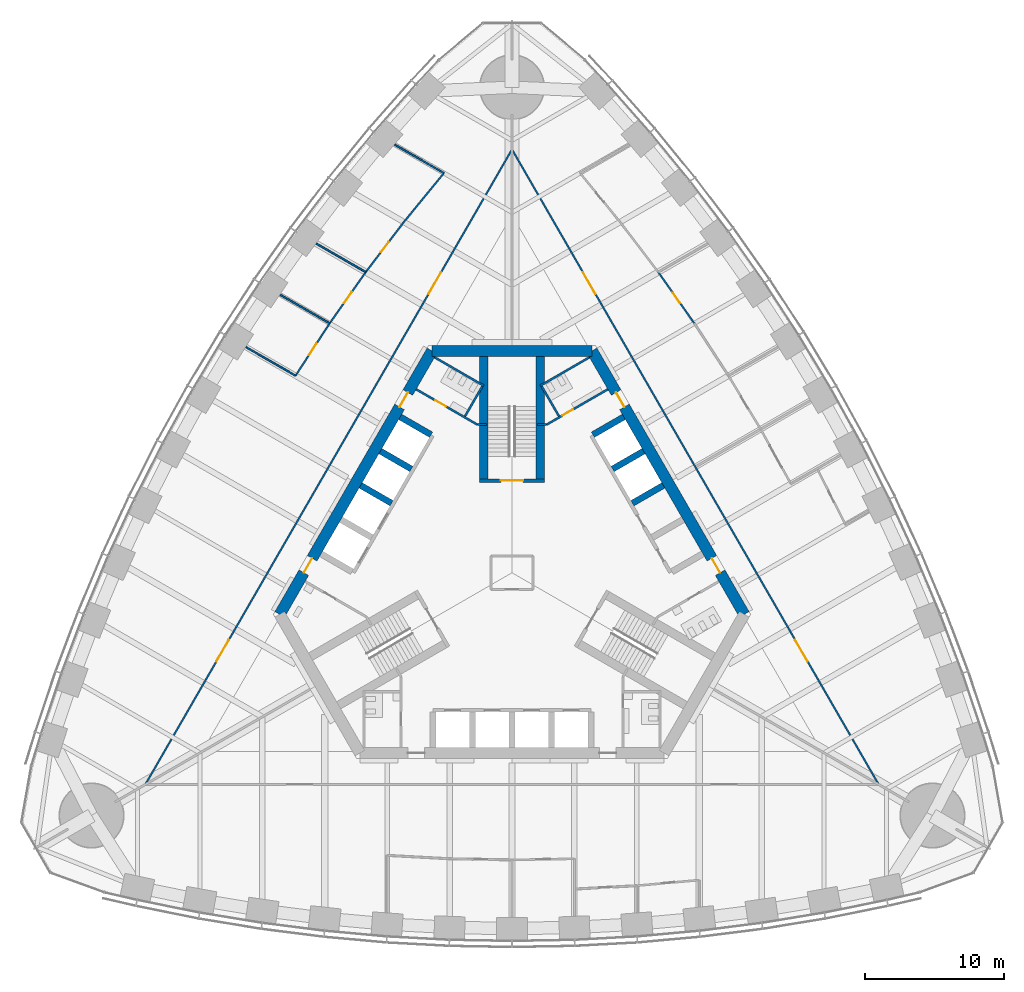
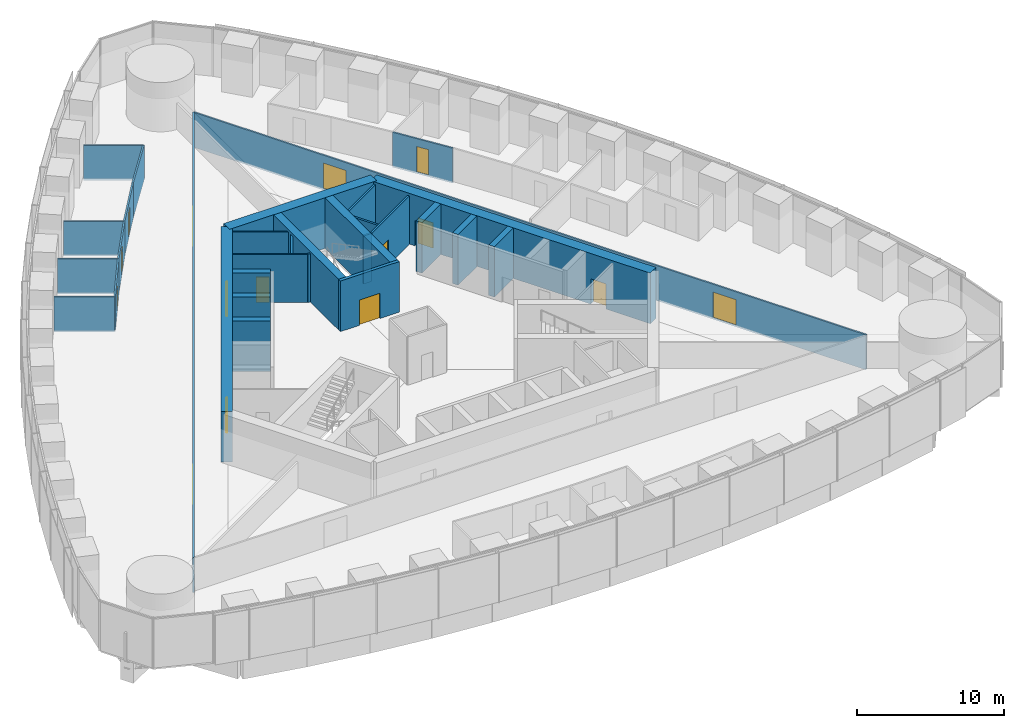
# One storey, part 12 of 18: 31 walls, 15 doors, 15 openings.
"""IFC4 building model written with IfcOpenShell, lengths in metres."""

from ifc_helpers import new_model, si_unit, direction, frame, frame_2d, origin, place, context, subcontext, project, spatial, rectangle, extrude, material, layer, layer_set, type_object, element, fill, save


model = new_model("IFC4")

# Units and contexts
model_context = context("Model", 3, precision=1e-05, world=origin(), true_north=direction((0.0, 1.0)))
body_context = subcontext(model_context, "Body", "Model", "MODEL_VIEW")
ifc_project = project(units=[si_unit("LENGTHUNIT", "METRE"), si_unit("AREAUNIT", "SQUARE_METRE"), si_unit("VOLUMEUNIT", "CUBIC_METRE"), si_unit("PLANEANGLEUNIT", "RADIAN"), si_unit("MASSUNIT", "GRAM", prefix="KILO")], contexts=[model_context])

# Site, building, storey
site_placement = place(None, origin())
site = spatial("IfcSite", under=ifc_project, at=site_placement, CompositionType="ELEMENT")
building_placement = place(site_placement, origin())
building = spatial("IfcBuilding", under=site, at=building_placement, Name="Trefoil Bronze Tower", CompositionType="ELEMENT")
storey_placement = place(building_placement, frame((0.0, 0.0, 115.699951171875)))
storey = spatial("IfcBuildingStorey", under=building, at=storey_placement, Name="L26", CompositionType="ELEMENT", Elevation=115.699951171875)

# Wall, openings, doors
ifc_material_1 = material(Name="Concrete B80", Category="concrete")
ifc_layer_1 = layer(ifc_material_1, 0.800048828125)
ifc_layer_set_1 = layer_set([ifc_layer_1], Name="Core wall 800")
wall_type_1 = type_object("IfcWallType", Name="Core wall 800", PredefinedType="SHEAR", material=ifc_layer_set_1)
wall_1_placement = place(storey_placement, frame((16.7431640625, -3.0, 0.0), z_axis=(0.0, 0.0, 1.0), x_axis=(-0.500002442456, 0.866023993627, 0.0)))
wall_1 = element("IfcWall", 1, at=wall_1_placement, inside=storey, type_object=wall_type_1, Name="Core long wall 2 L26", PredefinedType="SHEAR", context=body_context, shape_type="SweptSolid", body=[
    extrude(rectangle(XDim=21.939453125, YDim=0.800048828125, at=frame_2d((10.9697265625, 0.0))), origin(), (0.0, 0.0, 1.0), 4.199951171875),
])
opening_1_placement = place(wall_1_placement, frame((17.269775390625, 0.0, 0.0)))
opening_1 = element("IfcOpeningElement", 2, at=opening_1_placement, cuts=wall_1, Name="Opening D2", PredefinedType="OPENING", context=body_context, shape_type="SweptSolid", body=[
    extrude(rectangle(XDim=1.199951171875, YDim=2.10009765625, at=frame_2d((0.60009765625, 1.050048828125))), frame((0.0, 0.409912109375, 0.0), z_axis=(0.0, -1.0, 0.0), x_axis=(1.0, 0.0, 0.0)), (0.0, 0.0, 1.0), 0.820068359375),
])
opening_2_placement = place(wall_1_placement, frame((3.4697265625, 0.0, 0.0)))
opening_2 = element("IfcOpeningElement", 3, at=opening_2_placement, cuts=wall_1, Name="Opening D2", PredefinedType="OPENING", context=body_context, shape_type="SweptSolid", body=[
    extrude(rectangle(XDim=1.199951171875, YDim=2.10009765625, at=frame_2d((0.60009765625, 1.050048828125))), frame((0.0, 0.409912109375, 0.0), z_axis=(0.0, -1.0, 0.0), x_axis=(1.0, 0.0, 0.0)), (0.0, 0.0, 1.0), 0.820068359375),
])
ifc_material_2 = material(Name="Steel door", Category="steel")
door_type_1 = type_object("IfcDoorType", Name="Lobby door 1200", OperationType="SINGLE_SWING_RIGHT", PredefinedType="DOOR", material=ifc_material_2)
door_1_placement = place(opening_1_placement, origin())
door_1 = element("IfcDoor", 4, at=door_1_placement, inside=storey, type_object=door_type_1, Name="Lobby door F2+ L26", OperationType="SINGLE_SWING_RIGHT", OverallHeight=2.10009765625, OverallWidth=1.199951171875, PredefinedType="DOOR", context=body_context, shape_type="SweptSolid", body=[
    extrude(rectangle(XDim=1.199951171875, YDim=2.10009765625, at=frame_2d((0.60009765625, 1.050048828125))), frame((0.0, 0.02490234375, 0.0), z_axis=(0.0, -1.0, 0.0), x_axis=(1.0, 0.0, 0.0)), (0.0, 0.0, 1.0), 0.050048828125),
])
fill(opening_1, door_1)
door_2_placement = place(opening_2_placement, origin())
door_2 = element("IfcDoor", 5, at=door_2_placement, inside=storey, type_object=door_type_1, Name="Lobby door F2- L26", OperationType="SINGLE_SWING_LEFT", OverallHeight=2.10009765625, OverallWidth=1.199951171875, PredefinedType="DOOR", context=body_context, shape_type="SweptSolid", body=[
    extrude(rectangle(XDim=1.199951171875, YDim=2.10009765625, at=frame_2d((0.60009765625, 1.050048828125))), frame((0.0, 0.02490234375, 0.0), z_axis=(0.0, -1.0, 0.0), x_axis=(1.0, 0.0, 0.0)), (0.0, 0.0, 1.0), 0.050048828125),
])
fill(opening_2, door_2)

# Wall
wall_2_placement = place(storey_placement, frame((5.7734375, 16.0, 0.0), z_axis=(0.0, 0.0, 1.0), x_axis=(-1.0, 0.0, 0.0)))
element("IfcWall", 6, at=wall_2_placement, inside=storey, type_object=wall_type_1, Name="Core short wall 2 L26", PredefinedType="SHEAR", context=body_context, shape_type="SweptSolid", body=[
    extrude(rectangle(XDim=11.546875, YDim=0.800048828125, at=frame_2d((5.7734375, 0.0))), origin(), (0.0, 0.0, 1.0), 4.199951171875),
])

# Wall, openings, doors
wall_3_placement = place(storey_placement, frame((-5.7734375, 16.0, 0.0), z_axis=(0.0, 0.0, 1.0), x_axis=(-0.500002442456, -0.866023993627, 0.0)))
wall_3 = element("IfcWall", 7, at=wall_3_placement, inside=storey, type_object=wall_type_1, Name="Core long wall 3 L26", PredefinedType="SHEAR", context=body_context, shape_type="SweptSolid", body=[
    extrude(rectangle(XDim=21.939453125, YDim=0.800048828125, at=frame_2d((10.9697265625, 0.0))), origin(), (0.0, 0.0, 1.0), 4.199951171875),
])
opening_3_placement = place(wall_3_placement, frame((17.269775390625, 0.0, 0.0)))
opening_3 = element("IfcOpeningElement", 8, at=opening_3_placement, cuts=wall_3, Name="Opening D2", PredefinedType="OPENING", context=body_context, shape_type="SweptSolid", body=[
    extrude(rectangle(XDim=1.199951171875, YDim=2.10009765625, at=frame_2d((0.60009765625, 1.050048828125))), frame((0.0, 0.409912109375, 0.0), z_axis=(0.0, -1.0, 0.0), x_axis=(1.0, 0.0, 0.0)), (0.0, 0.0, 1.0), 0.820068359375),
])
opening_4_placement = place(wall_3_placement, frame((3.4697265625, 0.0, 0.0)))
opening_4 = element("IfcOpeningElement", 9, at=opening_4_placement, cuts=wall_3, Name="Opening D2", PredefinedType="OPENING", context=body_context, shape_type="SweptSolid", body=[
    extrude(rectangle(XDim=1.199951171875, YDim=2.10009765625, at=frame_2d((0.60009765625, 1.050048828125))), frame((0.0, 0.409912109375, 0.0), z_axis=(0.0, -1.0, 0.0), x_axis=(1.0, 0.0, 0.0)), (0.0, 0.0, 1.0), 0.820068359375),
])
door_3_placement = place(opening_3_placement, origin())
door_3 = element("IfcDoor", 10, at=door_3_placement, inside=storey, type_object=door_type_1, Name="Lobby door F3+ L26", OperationType="SINGLE_SWING_RIGHT", OverallHeight=2.10009765625, OverallWidth=1.199951171875, PredefinedType="DOOR", context=body_context, shape_type="SweptSolid", body=[
    extrude(rectangle(XDim=1.199951171875, YDim=2.10009765625, at=frame_2d((0.60009765625, 1.050048828125))), frame((0.0, 0.02490234375, 0.0), z_axis=(0.0, -1.0, 0.0), x_axis=(1.0, 0.0, 0.0)), (0.0, 0.0, 1.0), 0.050048828125),
])
fill(opening_3, door_3)
door_4_placement = place(opening_4_placement, origin())
door_4 = element("IfcDoor", 11, at=door_4_placement, inside=storey, type_object=door_type_1, Name="Lobby door F3- L26", OperationType="SINGLE_SWING_LEFT", OverallHeight=2.10009765625, OverallWidth=1.199951171875, PredefinedType="DOOR", context=body_context, shape_type="SweptSolid", body=[
    extrude(rectangle(XDim=1.199951171875, YDim=2.10009765625, at=frame_2d((0.60009765625, 1.050048828125))), frame((0.0, 0.02490234375, 0.0), z_axis=(0.0, -1.0, 0.0), x_axis=(1.0, 0.0, 0.0)), (0.0, 0.0, 1.0), 0.050048828125),
])
fill(opening_4, door_4)

ifc_material_3 = material(Name="Glazed partition", Category="glass")
ifc_layer_2 = layer(ifc_material_3, 0.1201171875)
ifc_layer_set_2 = layer_set([ifc_layer_2], Name="Glazed partition 120")
wall_type_2 = type_object("IfcWallType", Name="Glazed partition 120", PredefinedType="PARTITIONING", material=ifc_layer_set_2)
wall_4_placement = place(storey_placement, frame((26.41455078125, -15.2314453125, 0.0), z_axis=(0.0, 0.0, 1.0), x_axis=(-0.50000091641, 0.866024874695, 0.0)))
wall_4 = element("IfcWall", 12, at=wall_4_placement, inside=storey, type_object=wall_type_2, Name="Partition F2 L26", PredefinedType="PARTITIONING", context=body_context, shape_type="SweptSolid", body=[
    extrude(rectangle(XDim=52.79638671875, YDim=0.1201171875, at=frame_2d((26.398193359375, 0.0))), origin(), (0.0, 0.0, 1.0), 2.900146484375),
])
opening_5_placement = place(wall_4_placement, frame((10.199951171875, 0.0, 0.14990234375)))
opening_5 = element("IfcOpeningElement", 13, at=opening_5_placement, cuts=wall_4, Name="Opening D10", PredefinedType="OPENING", context=body_context, shape_type="SweptSolid", body=[
    extrude(rectangle(XDim=1.800048828125, YDim=2.10009765625, at=frame_2d((0.89990234375, 1.050048828125))), frame((0.0, 0.070068359375, 0.0), z_axis=(0.0, -1.0, 0.0), x_axis=(1.0, 0.0, 0.0)), (0.0, 0.0, 1.0), 0.14013671875),
])
opening_6_placement = place(wall_4_placement, frame((40.800048828125, 0.0, 0.14990234375)))
opening_6 = element("IfcOpeningElement", 14, at=opening_6_placement, cuts=wall_4, Name="Opening D10", PredefinedType="OPENING", context=body_context, shape_type="SweptSolid", body=[
    extrude(rectangle(XDim=1.800048828125, YDim=2.10009765625, at=frame_2d((0.89990234375, 1.050048828125))), frame((0.0, 0.070068359375, 0.0), z_axis=(0.0, -1.0, 0.0), x_axis=(1.0, 0.0, 0.0)), (0.0, 0.0, 1.0), 0.14013671875),
])
ifc_material_4 = material(Name="Timber door", Category="wood")
door_type_2 = type_object("IfcDoorType", Name="Double door 1800", OperationType="DOUBLE_DOOR_SINGLE_SWING", PredefinedType="DOOR", material=ifc_material_4)
door_5_placement = place(opening_5_placement, frame((1.800048828125, 0.0, 0.0), z_axis=(0.0, 0.0, 1.0), x_axis=(-1.0, 0.0, 0.0)))
door_5 = element("IfcDoor", 15, at=door_5_placement, inside=storey, type_object=door_type_2, Name="Corridor door F2 L26", OperationType="DOUBLE_DOOR_SINGLE_SWING", OverallHeight=2.10009765625, OverallWidth=1.800048828125, PredefinedType="DOOR", context=body_context, shape_type="SweptSolid", body=[
    extrude(rectangle(XDim=1.800048828125, YDim=2.10009765625, at=frame_2d((0.89990234375, 1.050048828125))), frame((0.0, 0.02490234375, 0.0), z_axis=(0.0, -1.0, 0.0), x_axis=(1.0, 0.0, 0.0)), (0.0, 0.0, 1.0), 0.050048828125),
])
fill(opening_5, door_5)
door_6_placement = place(opening_6_placement, frame((1.800048828125, 0.0, 0.0), z_axis=(0.0, 0.0, 1.0), x_axis=(-1.0, 0.0, 0.0)))
door_6 = element("IfcDoor", 16, at=door_6_placement, inside=storey, type_object=door_type_2, Name="Corridor door F2 L26", OperationType="DOUBLE_DOOR_SINGLE_SWING", OverallHeight=2.10009765625, OverallWidth=1.800048828125, PredefinedType="DOOR", context=body_context, shape_type="SweptSolid", body=[
    extrude(rectangle(XDim=1.800048828125, YDim=2.10009765625, at=frame_2d((0.89990234375, 1.050048828125))), frame((0.0, 0.02490234375, 0.0), z_axis=(0.0, -1.0, 0.0), x_axis=(1.0, 0.0, 0.0)), (0.0, 0.0, 1.0), 0.050048828125),
])
fill(opening_6, door_6)

# Wall, opening, door
wall_5_placement = place(storey_placement, frame((13.145263671875, 17.981689453125, 0.0), z_axis=(0.0, 0.0, 1.0), x_axis=(-0.575987178736, 0.817458726745, 0.0)))
wall_5 = element("IfcWall", 17, at=wall_5_placement, inside=storey, type_object=wall_type_2, Name="Partition F2 L26", PredefinedType="PARTITIONING", context=body_context, shape_type="SweptSolid", body=[
    extrude(rectangle(XDim=4.518310546875, YDim=0.1201171875, at=frame_2d((2.25927734375, 0.0))), origin(), (0.0, 0.0, 1.0), 2.900146484375),
])
opening_7_placement = place(wall_5_placement, frame((1.800048828125, 0.0, 0.14990234375)))
opening_7 = element("IfcOpeningElement", 18, at=opening_7_placement, cuts=wall_5, Name="Opening D8", PredefinedType="OPENING", context=body_context, shape_type="SweptSolid", body=[
    extrude(rectangle(XDim=0.89990234375, YDim=2.10009765625, at=frame_2d((0.449951171875, 1.050048828125))), frame((0.0, 0.070068359375, 0.0), z_axis=(0.0, -1.0, 0.0), x_axis=(1.0, 0.0, 0.0)), (0.0, 0.0, 1.0), 0.14013671875),
])
ifc_material_5 = material(Name="Timber door", Category="wood")
door_type_3 = type_object("IfcDoorType", Name="Office door 900", OperationType="SINGLE_SWING_LEFT", PredefinedType="DOOR", material=ifc_material_5)
door_7_placement = place(opening_7_placement, frame((0.89990234375, 0.0, 0.0), z_axis=(0.0, 0.0, 1.0), x_axis=(-1.0, 0.0, 0.0)))
door_7 = element("IfcDoor", 19, at=door_7_placement, inside=storey, type_object=door_type_3, Name="Office door F2 L26", OperationType="SINGLE_SWING_RIGHT", OverallHeight=2.10009765625, OverallWidth=0.89990234375, PredefinedType="DOOR", context=body_context, shape_type="SweptSolid", body=[
    extrude(rectangle(XDim=0.89990234375, YDim=2.10009765625, at=frame_2d((0.449951171875, 1.050048828125))), frame((0.0, 0.02490234375, 0.0), z_axis=(0.0, -1.0, 0.0), x_axis=(1.0, 0.0, 0.0)), (0.0, 0.0, 1.0), 0.050048828125),
])
fill(opening_7, door_7)

# Wall, openings, doors
wall_6_placement = place(storey_placement, frame((-0.016357421875, 30.491455078125, 0.0), z_axis=(0.0, 0.0, 1.0), x_axis=(-0.50000091641, -0.866024874695, 0.0)))
wall_6 = element("IfcWall", 20, at=wall_6_placement, inside=storey, type_object=wall_type_2, Name="Partition F3 L26", PredefinedType="PARTITIONING", context=body_context, shape_type="SweptSolid", body=[
    extrude(rectangle(XDim=52.79638671875, YDim=0.1201171875, at=frame_2d((26.398193359375, 0.0))), origin(), (0.0, 0.0, 1.0), 2.900146484375),
])
opening_8_placement = place(wall_6_placement, frame((10.199951171875, 0.0, 0.14990234375)))
opening_8 = element("IfcOpeningElement", 21, at=opening_8_placement, cuts=wall_6, Name="Opening D10", PredefinedType="OPENING", context=body_context, shape_type="SweptSolid", body=[
    extrude(rectangle(XDim=1.800048828125, YDim=2.10009765625, at=frame_2d((0.89990234375, 1.050048828125))), frame((0.0, 0.070068359375, 0.0), z_axis=(0.0, -1.0, 0.0), x_axis=(1.0, 0.0, 0.0)), (0.0, 0.0, 1.0), 0.14013671875),
])
opening_9_placement = place(wall_6_placement, frame((40.800048828125, 0.0, 0.14990234375)))
opening_9 = element("IfcOpeningElement", 22, at=opening_9_placement, cuts=wall_6, Name="Opening D10", PredefinedType="OPENING", context=body_context, shape_type="SweptSolid", body=[
    extrude(rectangle(XDim=1.800048828125, YDim=2.10009765625, at=frame_2d((0.89990234375, 1.050048828125))), frame((0.0, 0.070068359375, 0.0), z_axis=(0.0, -1.0, 0.0), x_axis=(1.0, 0.0, 0.0)), (0.0, 0.0, 1.0), 0.14013671875),
])
door_8_placement = place(opening_8_placement, frame((1.800048828125, 0.0, 0.0), z_axis=(0.0, 0.0, 1.0), x_axis=(-1.0, 0.0, 0.0)))
door_8 = element("IfcDoor", 23, at=door_8_placement, inside=storey, type_object=door_type_2, Name="Corridor door F3 L26", OperationType="DOUBLE_DOOR_SINGLE_SWING", OverallHeight=2.10009765625, OverallWidth=1.800048828125, PredefinedType="DOOR", context=body_context, shape_type="SweptSolid", body=[
    extrude(rectangle(XDim=1.800048828125, YDim=2.10009765625, at=frame_2d((0.89990234375, 1.050048828125))), frame((0.0, 0.02490234375, 0.0), z_axis=(0.0, -1.0, 0.0), x_axis=(1.0, 0.0, 0.0)), (0.0, 0.0, 1.0), 0.050048828125),
])
fill(opening_8, door_8)
door_9_placement = place(opening_9_placement, frame((1.800048828125, 0.0, 0.0), z_axis=(0.0, 0.0, 1.0), x_axis=(-1.0, 0.0, 0.0)))
door_9 = element("IfcDoor", 24, at=door_9_placement, inside=storey, type_object=door_type_2, Name="Corridor door F3 L26", OperationType="DOUBLE_DOOR_SINGLE_SWING", OverallHeight=2.10009765625, OverallWidth=1.800048828125, PredefinedType="DOOR", context=body_context, shape_type="SweptSolid", body=[
    extrude(rectangle(XDim=1.800048828125, YDim=2.10009765625, at=frame_2d((0.89990234375, 1.050048828125))), frame((0.0, 0.02490234375, 0.0), z_axis=(0.0, -1.0, 0.0), x_axis=(1.0, 0.0, 0.0)), (0.0, 0.0, 1.0), 0.050048828125),
])
fill(opening_9, door_9)

# Wall, opening, door
wall_7_placement = place(storey_placement, frame((-10.542724609375, 21.67529296875, 0.0), z_axis=(0.0, 0.0, 1.0), x_axis=(-0.575987178736, -0.817458726745, 0.0)))
wall_7 = element("IfcWall", 25, at=wall_7_placement, inside=storey, type_object=wall_type_2, Name="Partition F3 L26", PredefinedType="PARTITIONING", context=body_context, shape_type="SweptSolid", body=[
    extrude(rectangle(XDim=4.518310546875, YDim=0.1201171875, at=frame_2d((2.25927734375, 0.0))), origin(), (0.0, 0.0, 1.0), 2.900146484375),
])
opening_10_placement = place(wall_7_placement, frame((1.75, 0.0, 0.14990234375)))
opening_10 = element("IfcOpeningElement", 26, at=opening_10_placement, cuts=wall_7, Name="Opening D9", PredefinedType="OPENING", context=body_context, shape_type="SweptSolid", body=[
    extrude(rectangle(XDim=1.0, YDim=2.10009765625, at=frame_2d((0.5, 1.050048828125))), frame((0.0, 0.070068359375, 0.0), z_axis=(0.0, -1.0, 0.0), x_axis=(1.0, 0.0, 0.0)), (0.0, 0.0, 1.0), 0.14013671875),
])
ifc_material_6 = material(Name="Glazed timber door", Category="wood")
door_type_4 = type_object("IfcDoorType", Name="Meeting room door 1000", OperationType="SINGLE_SWING_LEFT", PredefinedType="DOOR", material=ifc_material_6)
door_10_placement = place(opening_10_placement, frame((1.0, 0.0, 0.0), z_axis=(0.0, 0.0, 1.0), x_axis=(-1.0, 0.0, 0.0)))
door_10 = element("IfcDoor", 27, at=door_10_placement, inside=storey, type_object=door_type_4, Name="Meeting room door F3 L26", OperationType="SINGLE_SWING_RIGHT", OverallHeight=2.10009765625, OverallWidth=1.0, PredefinedType="DOOR", context=body_context, shape_type="SweptSolid", body=[
    extrude(rectangle(XDim=1.0, YDim=2.10009765625, at=frame_2d((0.5, 1.050048828125))), frame((0.0, 0.02490234375, 0.0), z_axis=(0.0, -1.0, 0.0), x_axis=(1.0, 0.0, 0.0)), (0.0, 0.0, 1.0), 0.050048828125),
])
fill(opening_10, door_10)

wall_8_placement = place(storey_placement, frame((-7.797119140625, 25.2861328125, 0.0), z_axis=(0.0, 0.0, 1.0), x_axis=(-0.605274299339, -0.796016973789, 0.0)))
wall_8 = element("IfcWall", 28, at=wall_8_placement, inside=storey, type_object=wall_type_2, Name="Partition F3 L26", PredefinedType="PARTITIONING", context=body_context, shape_type="SweptSolid", body=[
    extrude(rectangle(XDim=4.5361328125, YDim=0.1201171875, at=frame_2d((2.26806640625, 0.0))), origin(), (0.0, 0.0, 1.0), 2.900146484375),
])
opening_11_placement = place(wall_8_placement, frame((1.800048828125, 0.0, 0.14990234375)))
opening_11 = element("IfcOpeningElement", 29, at=opening_11_placement, cuts=wall_8, Name="Opening D8", PredefinedType="OPENING", context=body_context, shape_type="SweptSolid", body=[
    extrude(rectangle(XDim=0.89990234375, YDim=2.10009765625, at=frame_2d((0.449951171875, 1.050048828125))), frame((0.0, 0.070068359375, 0.0), z_axis=(0.0, -1.0, 0.0), x_axis=(1.0, 0.0, 0.0)), (0.0, 0.0, 1.0), 0.14013671875),
])
door_11_placement = place(opening_11_placement, frame((0.89990234375, 0.0, 0.0), z_axis=(0.0, 0.0, 1.0), x_axis=(-1.0, 0.0, 0.0)))
door_11 = element("IfcDoor", 30, at=door_11_placement, inside=storey, type_object=door_type_3, Name="Office door F3 L26", OperationType="SINGLE_SWING_RIGHT", OverallHeight=2.10009765625, OverallWidth=0.89990234375, PredefinedType="DOOR", context=body_context, shape_type="SweptSolid", body=[
    extrude(rectangle(XDim=0.89990234375, YDim=2.10009765625, at=frame_2d((0.449951171875, 1.050048828125))), frame((0.0, 0.02490234375, 0.0), z_axis=(0.0, -1.0, 0.0), x_axis=(1.0, 0.0, 0.0)), (0.0, 0.0, 1.0), 0.050048828125),
])
fill(opening_11, door_11)

# Wall
wall_9_placement = place(storey_placement, frame((-4.906494140625, 28.8134765625, 0.0), z_axis=(0.0, 0.0, 1.0), x_axis=(-0.633843962561, -0.773460943503, 0.0)))
element("IfcWall", 31, at=wall_9_placement, inside=storey, type_object=wall_type_2, Name="Partition F3 L26", PredefinedType="PARTITIONING", context=body_context, shape_type="SweptSolid", body=[
    extrude(rectangle(XDim=4.560546875, YDim=0.1201171875, at=frame_2d((2.2802734375, 0.0))), origin(), (0.0, 0.0, 1.0), 2.900146484375),
])

# Wall, opening, door
wall_10_placement = place(storey_placement, frame((-13.145263671875, 17.981689453125, 0.0), z_axis=(0.0, 0.0, 1.0), x_axis=(-0.546069464151, -0.837739900161, 0.0)))
wall_10 = element("IfcWall", 32, at=wall_10_placement, inside=storey, type_object=wall_type_2, Name="Partition F3 L26", PredefinedType="PARTITIONING", context=body_context, shape_type="SweptSolid", body=[
    extrude(rectangle(XDim=4.506591796875, YDim=0.1201171875, at=frame_2d((2.25341796875, 0.0))), origin(), (0.0, 0.0, 1.0), 2.900146484375),
])
opening_12_placement = place(wall_10_placement, frame((1.75, 0.0, 0.14990234375)))
opening_12 = element("IfcOpeningElement", 33, at=opening_12_placement, cuts=wall_10, Name="Opening D9", PredefinedType="OPENING", context=body_context, shape_type="SweptSolid", body=[
    extrude(rectangle(XDim=1.0, YDim=2.10009765625, at=frame_2d((0.5, 1.050048828125))), frame((0.0, 0.070068359375, 0.0), z_axis=(0.0, -1.0, 0.0), x_axis=(1.0, 0.0, 0.0)), (0.0, 0.0, 1.0), 0.14013671875),
])
door_12_placement = place(opening_12_placement, frame((1.0, 0.0, 0.0), z_axis=(0.0, 0.0, 1.0), x_axis=(-1.0, 0.0, 0.0)))
door_12 = element("IfcDoor", 34, at=door_12_placement, inside=storey, type_object=door_type_4, Name="Meeting room door F3 L26", OperationType="SINGLE_SWING_RIGHT", OverallHeight=2.10009765625, OverallWidth=1.0, PredefinedType="DOOR", context=body_context, shape_type="SweptSolid", body=[
    extrude(rectangle(XDim=1.0, YDim=2.10009765625, at=frame_2d((0.5, 1.050048828125))), frame((0.0, 0.02490234375, 0.0), z_axis=(0.0, -1.0, 0.0), x_axis=(1.0, 0.0, 0.0)), (0.0, 0.0, 1.0), 0.050048828125),
])
fill(opening_12, door_12)

# Walls
wall_11_placement = place(storey_placement, frame((-10.542724609375, 21.67529296875, 0.0), z_axis=(0.0, 0.0, 1.0), x_axis=(-0.866019409031, 0.500010383074, 0.0)))
element("IfcWall", 35, at=wall_11_placement, inside=storey, type_object=wall_type_2, Name="Partition F3 L26", PredefinedType="PARTITIONING", context=body_context, shape_type="SweptSolid", body=[
    extrude(rectangle(XDim=4.1103515625, YDim=0.1201171875, at=frame_2d((2.05517578125, 0.0))), origin(), (0.0, 0.0, 1.0), 2.900146484375),
])
wall_12_placement = place(storey_placement, frame((-4.906494140625, 28.8134765625, 0.0), z_axis=(0.0, 0.0, 1.0), x_axis=(-0.86601374377, 0.500020195194, 0.0)))
element("IfcWall", 36, at=wall_12_placement, inside=storey, type_object=wall_type_2, Name="Partition F3 L26", PredefinedType="PARTITIONING", context=body_context, shape_type="SweptSolid", body=[
    extrude(rectangle(XDim=4.093017578125, YDim=0.1201171875, at=frame_2d((2.04638671875, 0.0))), origin(), (0.0, 0.0, 1.0), 2.900146484375),
])
wall_13_placement = place(storey_placement, frame((-15.606201171875, 14.206298828125, 0.0), z_axis=(0.0, 0.0, 1.0), x_axis=(-0.866016800201, 0.500014901547, 0.0)))
element("IfcWall", 37, at=wall_13_placement, inside=storey, type_object=wall_type_2, Name="Partition F3 L26", PredefinedType="PARTITIONING", context=body_context, shape_type="SweptSolid", body=[
    extrude(rectangle(XDim=4.118896484375, YDim=0.1201171875, at=frame_2d((2.0595703125, 0.0))), origin(), (0.0, 0.0, 1.0), 2.900146484375),
])
wall_14_placement = place(storey_placement, frame((-13.145263671875, 17.981689453125, 0.0), z_axis=(0.0, 0.0, 1.0), x_axis=(-0.866018637367, 0.500011719595, 0.0)))
element("IfcWall", 38, at=wall_14_placement, inside=storey, type_object=wall_type_2, Name="Partition F3 L26", PredefinedType="PARTITIONING", context=body_context, shape_type="SweptSolid", body=[
    extrude(rectangle(XDim=4.11572265625, YDim=0.1201171875, at=frame_2d((2.057861328125, 0.0))), origin(), (0.0, 0.0, 1.0), 2.900146484375),
])
ifc_material_7 = material(Name="Concrete B80", Category="concrete")
ifc_layer_3 = layer(ifc_material_7, 0.449951171875)
ifc_layer_set_3 = layer_set([ifc_layer_3], Name="Outrigger shaft wall 450")
wall_type_3 = type_object("IfcWallType", Name="Outrigger shaft wall 450", PredefinedType="SHEAR", material=ifc_layer_set_3)
for number, where, z_axis, x_axis, name in (
    (39, (8.681884765625, 5.012451171875, 0.0), (0.0, 0.0, 1.0), (0.866005588531, 0.500034319456, 0.0), "Lift shaft side wall B2 L26"),
    (40, (7.2568359375, 7.480712890625, 0.0), (0.0, 0.0, 1.0), (0.866046643894, 0.499963209246, 0.0), "Lift shaft side wall B3 L26"),
):
    element("IfcWall", number, at=place(storey_placement, frame(where, z_axis=z_axis, x_axis=x_axis)), inside=storey, type_object=wall_type_3, Name=name, PredefinedType="SHEAR", context=body_context, shape_type="SweptSolid", body=[
        extrude(rectangle(XDim=2.574951171875, YDim=0.449951171875, at=frame_2d((1.28759765625, 0.0))), origin(), (0.0, 0.0, 1.0), 4.199951171875),
    ])
for number, where, z_axis, x_axis, name in (
    (41, (5.831787109375, 9.94873046875, 0.0), (0.0, 0.0, 1.0), (0.866029291668, 0.499993265928, 0.0), "Lift shaft side wall B4 L26"),
    (42, (-5.831787109375, 9.94873046875, 0.0), (0.0, 0.0, 1.0), (-0.866029291668, 0.499993265928, 0.0), "Lift shaft side wall C0 L26"),
):
    element("IfcWall", number, at=place(storey_placement, frame(where, z_axis=z_axis, x_axis=x_axis)), inside=storey, type_object=wall_type_3, Name=name, PredefinedType="SHEAR", context=body_context, shape_type="SweptSolid", body=[
        extrude(rectangle(XDim=2.5751953125, YDim=0.449951171875, at=frame_2d((1.28759765625, 0.0))), origin(), (0.0, 0.0, 1.0), 4.199951171875),
    ])
for number, where, z_axis, x_axis, name in (
    (43, (-7.2568359375, 7.480712890625, 0.0), (0.0, 0.0, 1.0), (-0.866046643894, 0.499963209246, 0.0), "Lift shaft side wall C1 L26"),
    (44, (-8.681884765625, 5.012451171875, 0.0), (0.0, 0.0, 1.0), (-0.866005588531, 0.500034319456, 0.0), "Lift shaft side wall C2 L26"),
):
    element("IfcWall", number, at=place(storey_placement, frame(where, z_axis=z_axis, x_axis=x_axis)), inside=storey, type_object=wall_type_3, Name=name, PredefinedType="SHEAR", context=body_context, shape_type="SweptSolid", body=[
        extrude(rectangle(XDim=2.574951171875, YDim=0.449951171875, at=frame_2d((1.28759765625, 0.0))), origin(), (0.0, 0.0, 1.0), 4.199951171875),
    ])

# Wall, opening, door
ifc_material_8 = material(Name="Gypsum board on steel studs", Category="steel")
ifc_layer_4 = layer(ifc_material_8, 0.14990234375)
ifc_layer_set_4 = layer_set([ifc_layer_4], Name="Partition 150")
wall_type_4 = type_object("IfcWallType", Name="Partition 150", PredefinedType="PARTITIONING", material=ifc_layer_set_4)
wall_15_placement = place(storey_placement, frame((2.4951171875, 10.67822265625, 0.0), z_axis=(0.0, 0.0, 1.0), x_axis=(0.86602216432, 0.500005610874, 0.0)))
wall_15 = element("IfcWall", 45, at=wall_15_placement, inside=storey, type_object=wall_type_4, Name="Passage wall F2+ L26", PredefinedType="PARTITIONING", context=body_context, shape_type="SweptSolid", body=[
    extrude(rectangle(XDim=5.10009765625, YDim=0.14990234375, at=frame_2d((2.550048828125, 0.0))), origin(), (0.0, 0.0, 1.0), 4.0),
])
opening_13_placement = place(wall_15_placement, frame((1.300048828125, 0.0, 0.0)))
opening_13 = element("IfcOpeningElement", 46, at=opening_13_placement, cuts=wall_15, Name="Opening D3", PredefinedType="OPENING", context=body_context, shape_type="SweptSolid", body=[
    extrude(rectangle(XDim=0.89990234375, YDim=2.10009765625, at=frame_2d((0.449951171875, 1.050048828125))), frame((0.0, 0.0849609375, 0.0), z_axis=(0.0, -1.0, 0.0), x_axis=(1.0, 0.0, 0.0)), (0.0, 0.0, 1.0), 0.169921875),
])
ifc_material_9 = material(Name="Timber door", Category="wood")
door_type_5 = type_object("IfcDoorType", Name="WC door 900", OperationType="SINGLE_SWING_LEFT", PredefinedType="DOOR", material=ifc_material_9)
door_13_placement = place(opening_13_placement, origin())
door_13 = element("IfcDoor", 47, at=door_13_placement, inside=storey, type_object=door_type_5, Name="WC (men) door L26", OperationType="SINGLE_SWING_LEFT", OverallHeight=2.10009765625, OverallWidth=0.89990234375, PredefinedType="DOOR", context=body_context, shape_type="SweptSolid", body=[
    extrude(rectangle(XDim=0.89990234375, YDim=2.10009765625, at=frame_2d((0.449951171875, 1.050048828125))), frame((0.0, 0.02490234375, 0.0), z_axis=(0.0, -1.0, 0.0), x_axis=(1.0, 0.0, 0.0)), (0.0, 0.0, 1.0), 0.050048828125),
])
fill(opening_13, door_13)

wall_16_placement = place(storey_placement, frame((-2.4951171875, 10.67822265625, 0.0), z_axis=(0.0, 0.0, 1.0), x_axis=(-0.86602216432, 0.500005610874, 0.0)))
wall_16 = element("IfcWall", 48, at=wall_16_placement, inside=storey, type_object=wall_type_4, Name="Passage wall F3- L26", PredefinedType="PARTITIONING", context=body_context, shape_type="SweptSolid", body=[
    extrude(rectangle(XDim=5.10009765625, YDim=0.14990234375, at=frame_2d((2.550048828125, 0.0))), origin(), (0.0, 0.0, 1.0), 4.0),
])
opening_14_placement = place(wall_16_placement, frame((2.60009765625, 0.0, 0.0)))
opening_14 = element("IfcOpeningElement", 49, at=opening_14_placement, cuts=wall_16, Name="Opening D3", PredefinedType="OPENING", context=body_context, shape_type="SweptSolid", body=[
    extrude(rectangle(XDim=0.89990234375, YDim=2.10009765625, at=frame_2d((0.449951171875, 1.050048828125))), frame((0.0, 0.0849609375, 0.0), z_axis=(0.0, -1.0, 0.0), x_axis=(1.0, 0.0, 0.0)), (0.0, 0.0, 1.0), 0.169921875),
])
door_14_placement = place(opening_14_placement, frame((0.89990234375, 0.0, 0.0), z_axis=(0.0, 0.0, 1.0), x_axis=(-1.0, 0.0, 0.0)))
door_14 = element("IfcDoor", 50, at=door_14_placement, inside=storey, type_object=door_type_5, Name="WC (women) door L26", OperationType="SINGLE_SWING_RIGHT", OverallHeight=2.10009765625, OverallWidth=0.89990234375, PredefinedType="DOOR", context=body_context, shape_type="SweptSolid", body=[
    extrude(rectangle(XDim=0.89990234375, YDim=2.10009765625, at=frame_2d((0.449951171875, 1.050048828125))), frame((0.0, 0.02490234375, 0.0), z_axis=(0.0, -1.0, 0.0), x_axis=(1.0, 0.0, 0.0)), (0.0, 0.0, 1.0), 0.050048828125),
])
fill(opening_14, door_14)

# Walls
for number, where, z_axis, x_axis, name in (
    (51, (2.4951171875, 10.67822265625, 0.0), (0.0, 0.0, 1.0), (-1.0, 0.0, 0.0), "WC wall ST2-1 L26"),
    (52, (-2.4951171875, 10.67822265625, 0.0), (0.0, 0.0, 1.0), (1.0, 0.0, 0.0), "WC wall ST2+1 L26"),
):
    element("IfcWall", number, at=place(storey_placement, frame(where, z_axis=z_axis, x_axis=x_axis)), inside=storey, type_object=wall_type_4, Name=name, PredefinedType="PARTITIONING", context=body_context, shape_type="SweptSolid", body=[
        extrude(rectangle(XDim=0.64501953125, YDim=0.14990234375, at=frame_2d((0.322509765625, 0.0))), origin(), (0.0, 0.0, 1.0), 4.0),
    ])
wall_17_placement = place(storey_placement, frame((2.03125, 13.48193359375, 0.0), z_axis=(0.0, 0.0, 1.0), x_axis=(0.866050731258, 0.499956128963, 0.0)))
element("IfcWall", 53, at=wall_17_placement, inside=storey, type_object=wall_type_4, Name="WC partition WC (men) L26", PredefinedType="PARTITIONING", context=body_context, shape_type="SweptSolid", body=[
    extrude(rectangle(XDim=4.099853515625, YDim=0.14990234375, at=frame_2d((2.0498046875, 0.0))), origin(), (0.0, 0.0, 1.0), 4.0),
])
wall_18_placement = place(storey_placement, frame((3.388671875, 11.28076171875, 0.0), z_axis=(0.0, 0.0, 1.0), x_axis=(-0.499989096993, 0.866031698547, 0.0)))
element("IfcWall", 54, at=wall_18_placement, inside=storey, type_object=wall_type_4, Name="WC partition WC (men) L26", PredefinedType="PARTITIONING", context=body_context, shape_type="SweptSolid", body=[
    extrude(rectangle(XDim=2.509765625, YDim=0.14990234375, at=frame_2d((1.2548828125, 0.0))), origin(), (0.0, 0.0, 1.0), 4.0),
])
wall_19_placement = place(storey_placement, frame((-2.03125, 13.48193359375, 0.0), z_axis=(0.0, 0.0, 1.0), x_axis=(-0.866050731258, 0.499956128963, 0.0)))
element("IfcWall", 55, at=wall_19_placement, inside=storey, type_object=wall_type_4, Name="WC partition WC (women) L26", PredefinedType="PARTITIONING", context=body_context, shape_type="SweptSolid", body=[
    extrude(rectangle(XDim=4.099853515625, YDim=0.14990234375, at=frame_2d((2.0498046875, 0.0))), origin(), (0.0, 0.0, 1.0), 4.0),
])
wall_20_placement = place(storey_placement, frame((-3.388671875, 11.28076171875, 0.0), z_axis=(0.0, 0.0, 1.0), x_axis=(0.499989096993, 0.866031698547, 0.0)))
element("IfcWall", 56, at=wall_20_placement, inside=storey, type_object=wall_type_4, Name="WC partition WC (women) L26", PredefinedType="PARTITIONING", context=body_context, shape_type="SweptSolid", body=[
    extrude(rectangle(XDim=2.509765625, YDim=0.14990234375, at=frame_2d((1.2548828125, 0.0))), origin(), (0.0, 0.0, 1.0), 4.0),
])

# Wall, opening, door
ifc_material_10 = material(Name="Concrete B80", Category="concrete")
ifc_layer_5 = layer(ifc_material_10, 0.25)
ifc_layer_set_5 = layer_set([ifc_layer_5], Name="Shaft wall 250")
wall_type_5 = type_object("IfcWallType", Name="Shaft wall 250", PredefinedType="SHEAR", material=ifc_layer_set_5)
wall_21_placement = place(storey_placement, frame((2.324951171875, 6.64990234375, 0.0), z_axis=(0.0, 0.0, 1.0), x_axis=(-1.0, 0.0, 0.0)))
wall_21 = element("IfcWall", 57, at=wall_21_placement, inside=storey, type_object=wall_type_5, Name="Stair end wall ST2 L26", PredefinedType="SHEAR", context=body_context, shape_type="SweptSolid", body=[
    extrude(rectangle(XDim=4.64990234375, YDim=0.25, at=frame_2d((2.324951171875, 0.0))), origin(), (0.0, 0.0, 1.0), 4.199951171875),
])
opening_15_placement = place(wall_21_placement, frame((1.52490234375, 0.0, 0.0)))
opening_15 = element("IfcOpeningElement", 58, at=opening_15_placement, cuts=wall_21, Name="Opening D1", PredefinedType="OPENING", context=body_context, shape_type="SweptSolid", body=[
    extrude(rectangle(XDim=1.60009765625, YDim=2.10009765625, at=frame_2d((0.800048828125, 1.050048828125))), frame((0.0, 0.135009765625, 0.0), z_axis=(0.0, -1.0, 0.0), x_axis=(1.0, 0.0, 0.0)), (0.0, 0.0, 1.0), 0.27001953125),
])
ifc_material_11 = material(Name="Steel door", Category="steel")
door_type_6 = type_object("IfcDoorType", Name="Stair door 1600", OperationType="DOUBLE_DOOR_SINGLE_SWING", PredefinedType="DOOR", material=ifc_material_11)
door_15_placement = place(opening_15_placement, frame((1.60009765625, 0.0, 0.0), z_axis=(0.0, 0.0, 1.0), x_axis=(-1.0, 0.0, 0.0)))
door_15 = element("IfcDoor", 59, at=door_15_placement, inside=storey, type_object=door_type_6, Name="Stair door ST2 L26", OperationType="DOUBLE_DOOR_SINGLE_SWING", OverallHeight=2.10009765625, OverallWidth=1.60009765625, PredefinedType="DOOR", context=body_context, shape_type="SweptSolid", body=[
    extrude(rectangle(XDim=1.60009765625, YDim=2.10009765625, at=frame_2d((0.800048828125, 1.050048828125))), frame((0.0, 0.02490234375, 0.0), z_axis=(0.0, -1.0, 0.0), x_axis=(1.0, 0.0, 0.0)), (0.0, 0.0, 1.0), 0.050048828125),
])
fill(opening_15, door_15)

# Walls
ifc_material_12 = material(Name="Concrete B80", Category="concrete")
ifc_layer_6 = layer(ifc_material_12, 0.60009765625)
ifc_layer_set_6 = layer_set([ifc_layer_6], Name="Stair wall 600")
wall_type_6 = type_object("IfcWallType", Name="Stair wall 600", PredefinedType="SHEAR", material=ifc_layer_set_6)
for number, where, z_axis, x_axis, name in (
    (60, (2.02490234375, 6.52490234375, 0.0), (0.0, 0.0, 1.0), (0.0, 1.0, 0.0), "Stair wall ST2 L26"),
    (61, (-2.02490234375, 6.52490234375, 0.0), (0.0, 0.0, 1.0), (0.0, 1.0, 0.0), "Stair wall ST2 L26"),
):
    element("IfcWall", number, at=place(storey_placement, frame(where, z_axis=z_axis, x_axis=x_axis)), inside=storey, type_object=wall_type_6, Name=name, PredefinedType="SHEAR", context=body_context, shape_type="SweptSolid", body=[
        extrude(rectangle(XDim=9.0751953125, YDim=0.60009765625, at=frame_2d((4.53759765625, 0.0))), origin(), (0.0, 0.0, 1.0), 4.199951171875),
    ])

save(model, "model.ifc")
